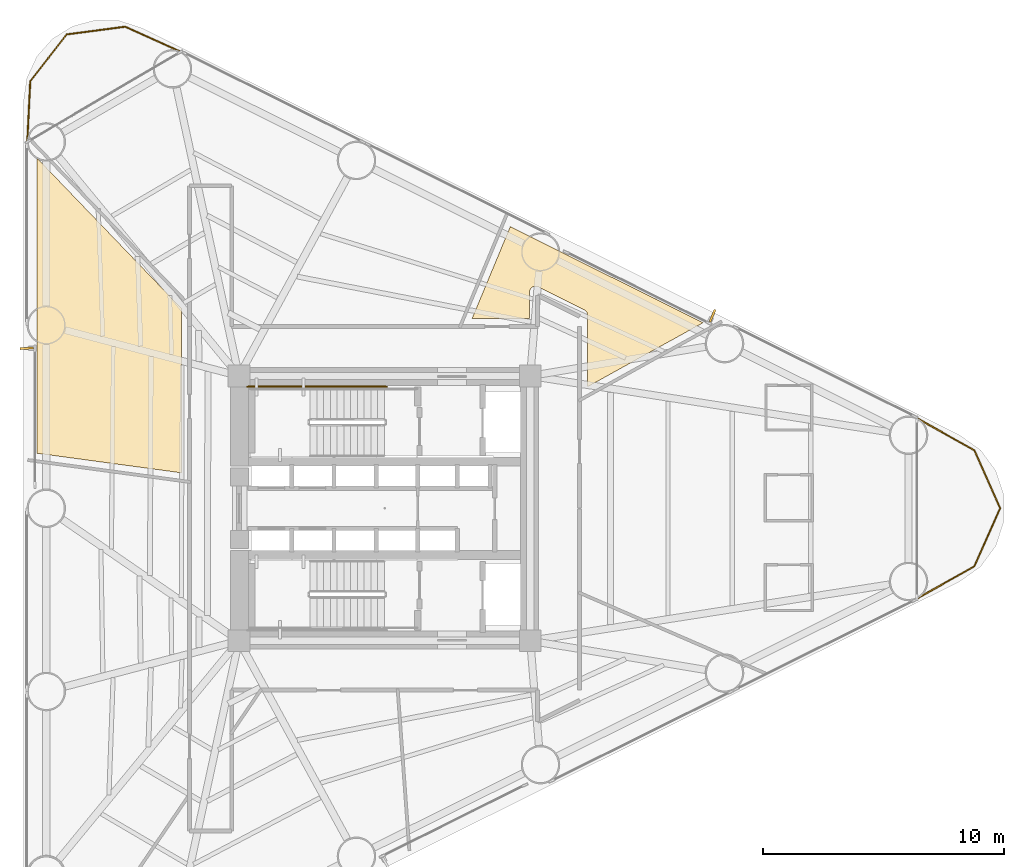
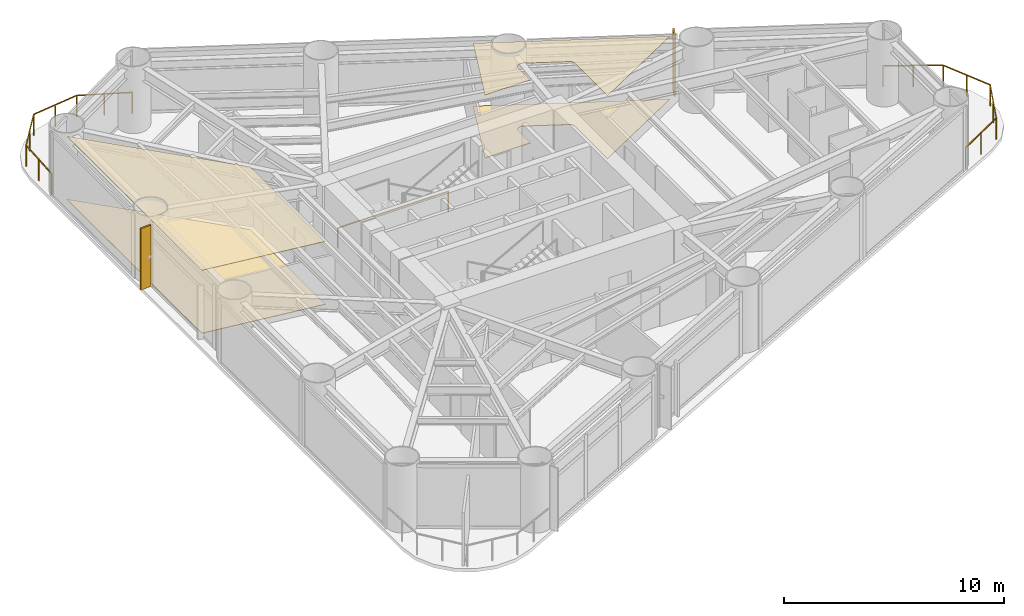
# One storey, part 10 of 10: 4 coverings, 3 railings, 2 shading devices.
"""IFC4 building model written with IfcOpenShell, lengths in metres."""

from ifc_helpers import new_model, si_unit, direction, frame, origin, origin_2d, place, context, subcontext, project, spatial, polyline, rectangle, outline, extrude, source, transform, mapped, material, layer, layer_set, material_profile, profile_set, type_object, element, save


model = new_model("IFC4")

# Units and contexts
model_context = context("Model", 3, precision=1e-05, world=origin(), true_north=direction((0.0, 1.0)))
body_context = subcontext(model_context, "Body", "Model", "MODEL_VIEW")
ifc_project = project(units=[si_unit("LENGTHUNIT", "METRE"), si_unit("AREAUNIT", "SQUARE_METRE"), si_unit("VOLUMEUNIT", "CUBIC_METRE"), si_unit("PLANEANGLEUNIT", "RADIAN"), si_unit("MASSUNIT", "GRAM", prefix="KILO")], contexts=[model_context])

# Site, building, storey
site_placement = place(None, origin())
site = spatial("IfcSite", under=ifc_project, at=site_placement, CompositionType="ELEMENT")
building_placement = place(site_placement, origin())
building = spatial("IfcBuilding", under=site, at=building_placement, Name="Yunling Apex Tower", CompositionType="ELEMENT")
storey_placement = place(building_placement, frame((0.0, 0.0, 31.199951171875)))
storey = spatial("IfcBuildingStorey", under=building, at=storey_placement, Name="L09", CompositionType="ELEMENT", Elevation=31.199951171875)

# Coverings
ifc_material_1 = material(Name="Acoustic mineral fibre ceiling")
ifc_layer_1 = layer(ifc_material_1, 0.02490234375)
ifc_layer_set_1 = layer_set([ifc_layer_1], Name="Acoustic mineral fibre ceiling")
covering_type_1 = type_object("IfcCoveringType", Name="CV-CLG-1", PredefinedType="CEILING", material=ifc_layer_set_1)
covering_1_placement = place(storey_placement, frame((0.0, 0.0, 3.489990234375)))
element("IfcCovering", 1, at=covering_1_placement, inside=storey, type_object=covering_type_1, Name="CV-CL-SP-L09-R05", PredefinedType="CEILING", context=body_context, shape_type="SweptSolid", body=[
    extrude(outline(polyline([(5.22021484375, 11.698486328125), (13.23095703125, 7.71142578125), (8.429931640625, 5.050048828125), (8.429931640625, 8.031982421875), (8.4287109375, 8.050048828125), (8.425537109375, 8.07421875), (8.418701171875, 8.099365234375), (8.410888671875, 8.12158203125), (8.399658203125, 8.14501953125), (8.38525390625, 8.168212890625), (8.37060546875, 8.186767578125), (8.35498046875, 8.2041015625), (8.3330078125, 8.22314453125), (8.31298828125, 8.23681640625), (8.297607421875, 8.24560546875), (6.377197265625, 9.201416015625), (6.3603515625, 9.208984375), (6.335205078125, 9.21728515625), (6.3125, 9.221923828125), (6.291015625, 9.224853515625), (6.265380859375, 9.225830078125), (6.239501953125, 9.22412109375), (6.2138671875, 9.219482421875), (6.1923828125, 9.213134765625), (6.17041015625, 9.205078125), (6.149658203125, 9.194580078125), (6.128173828125, 9.181884765625), (6.106689453125, 9.1650390625), (6.093017578125, 9.152099609375), (6.076416015625, 9.134521484375), (6.060546875, 9.1123046875), (6.048583984375, 9.09228515625), (6.037353515625, 9.06787109375), (6.029541015625, 9.044921875), (6.025146484375, 9.0263671875), (6.020751953125, 9.001708984375), (6.02001953125, 8.979248046875), (6.02001953125, 7.8798828125), (3.6328125, 7.8798828125), (5.22021484375, 11.698486328125)])), origin(), (0.0, 0.0, 1.0), 0.025146484375),
])
covering_2_placement = place(storey_placement, frame((0.0, 0.0, 3.489990234375)))
element("IfcCovering", 2, at=covering_2_placement, inside=storey, type_object=covering_type_1, Name="CV-CL-SP-L09-R07", PredefinedType="CEILING", context=body_context, shape_type="SweptSolid", body=[
    extrude(outline(polyline([(-14.431884765625, 2.2880859375), (-14.431884765625, 14.543212890625), (-8.429931640625, 8.296875), (-8.429931640625, 1.474853515625), (-14.431884765625, 2.2880859375)])), origin(), (0.0, 0.0, 1.0), 0.025146484375),
])
ifc_material_2 = material(Name="Polished granite stone", Category="masonry")
ifc_layer_2 = layer(ifc_material_2, 0.030029296875)
ifc_layer_set_2 = layer_set([ifc_layer_2], Name="Polished granite stone")
covering_type_2 = type_object("IfcCoveringType", Name="CV-FLR-1", PredefinedType="FLOORING", material=ifc_layer_set_2)
covering_3_placement = place(storey_placement, origin())
element("IfcCovering", 3, at=covering_3_placement, inside=storey, type_object=covering_type_2, Name="CV-FL-SP-L09-R05", PredefinedType="FLOORING", context=body_context, shape_type="SweptSolid", body=[
    extrude(outline(polyline([(5.22021484375, 11.698486328125), (13.23095703125, 7.71142578125), (8.429931640625, 5.050048828125), (8.429931640625, 8.031982421875), (8.4287109375, 8.050048828125), (8.425537109375, 8.07421875), (8.418701171875, 8.099365234375), (8.410888671875, 8.12158203125), (8.399658203125, 8.14501953125), (8.38525390625, 8.168212890625), (8.37060546875, 8.186767578125), (8.35498046875, 8.2041015625), (8.3330078125, 8.22314453125), (8.31298828125, 8.23681640625), (8.297607421875, 8.24560546875), (6.377197265625, 9.201416015625), (6.3603515625, 9.208984375), (6.335205078125, 9.21728515625), (6.3125, 9.221923828125), (6.291015625, 9.224853515625), (6.265380859375, 9.225830078125), (6.239501953125, 9.22412109375), (6.2138671875, 9.219482421875), (6.1923828125, 9.213134765625), (6.17041015625, 9.205078125), (6.149658203125, 9.194580078125), (6.128173828125, 9.181884765625), (6.106689453125, 9.1650390625), (6.093017578125, 9.152099609375), (6.076416015625, 9.134521484375), (6.060546875, 9.1123046875), (6.048583984375, 9.09228515625), (6.037353515625, 9.06787109375), (6.029541015625, 9.044921875), (6.025146484375, 9.0263671875), (6.020751953125, 9.001708984375), (6.02001953125, 8.979248046875), (6.02001953125, 7.8798828125), (3.6328125, 7.8798828125), (5.22021484375, 11.698486328125)])), origin(), (0.0, 0.0, 1.0), 0.030029296875),
])
covering_4_placement = place(storey_placement, origin())
element("IfcCovering", 4, at=covering_4_placement, inside=storey, type_object=covering_type_2, Name="CV-FL-SP-L09-R07", PredefinedType="FLOORING", context=body_context, shape_type="SweptSolid", body=[
    extrude(outline(polyline([(-14.431884765625, 2.2880859375), (-14.431884765625, 14.543212890625), (-8.429931640625, 8.296875), (-8.429931640625, 1.474853515625), (-14.431884765625, 2.2880859375)])), origin(), (0.0, 0.0, 1.0), 0.030029296875),
])

# Railings
ifc_material_3 = material(Name="Bronze anodised aluminium", Category="aluminium")
railing_type_1 = type_object("IfcRailingType", Name="RL-BAL-1200", PredefinedType="BALUSTRADE", material=ifc_material_3)
railing_1_placement = place(storey_placement, frame((22.1181640625, 3.74609375, 0.0)))
element("IfcRailing", 5, at=railing_1_placement, inside=storey, type_object=railing_type_1, Name="RL-CRNSILL-L09-1", PredefinedType="BALUSTRADE", context=body_context, shape_type="SweptSolid", body=[
    extrude(rectangle(XDim=0.0439453125, YDim=0.0439453125, at=origin_2d()), origin(), (0.0, 0.0, 1.0), 1.199951171875),
    extrude(rectangle(XDim=0.0439453125, YDim=0.0439453125, at=origin_2d()), frame((2.380615234375, -1.3349609375, 0.0)), (0.0, 0.0, 1.0), 1.199951171875),
    extrude(rectangle(XDim=0.050048828125, YDim=0.050048828125, at=origin_2d()), frame((0.033447265625, -0.018798828125, 1.1748046875), z_axis=(0.872222158118, -0.48910991289, 0.0), x_axis=(0.48910991289, 0.872222158118, 0.0)), (0.0, 0.0, 1.0), 2.652587890625),
    extrude(rectangle(XDim=0.0439453125, YDim=0.0439453125, at=origin_2d()), frame((1.1904296875, -0.66748046875, 0.0)), (0.0, 0.0, 1.0), 1.14599609375),
    extrude(rectangle(XDim=0.0439453125, YDim=0.0439453125, at=origin_2d()), frame((3.45263671875, -3.74609375, 0.0)), (0.0, 0.0, 1.0), 1.199951171875),
    extrude(rectangle(XDim=0.050048828125, YDim=0.050048828125, at=origin_2d()), frame((2.396240234375, -1.369873046875, 1.1748046875), z_axis=(0.406267230745, -0.913754309004, 0.0), x_axis=(0.913754309004, 0.406267230745, 0.0)), (0.0, 0.0, 1.0), 2.56201171875),
    extrude(rectangle(XDim=0.0439453125, YDim=0.0439453125, at=origin_2d()), frame((2.91650390625, -2.54052734375, 0.0)), (0.0, 0.0, 1.0), 1.14599609375),
    extrude(rectangle(XDim=0.0439453125, YDim=0.0439453125, at=origin_2d()), frame((2.380615234375, -6.1572265625, 0.0)), (0.0, 0.0, 1.0), 1.199951171875),
    extrude(rectangle(XDim=0.050048828125, YDim=0.050048828125, at=origin_2d()), frame((3.43701171875, -3.781005859375, 1.1748046875), z_axis=(-0.406267230745, -0.913754309004, 0.0), x_axis=(0.913754309004, -0.406267230745, 0.0)), (0.0, 0.0, 1.0), 2.56201171875),
    extrude(rectangle(XDim=0.0439453125, YDim=0.0439453125, at=origin_2d()), frame((2.91650390625, -4.95166015625, 0.0)), (0.0, 0.0, 1.0), 1.14599609375),
    extrude(rectangle(XDim=0.0439453125, YDim=0.0439453125, at=origin_2d()), frame((0.0, -7.4921875, 0.0)), (0.0, 0.0, 1.0), 1.199951171875),
    extrude(rectangle(XDim=0.050048828125, YDim=0.050048828125, at=origin_2d()), frame((2.34716796875, -6.176025390625, 1.1748046875), z_axis=(-0.872222158118, -0.48910991289, 0.0), x_axis=(0.48910991289, -0.872222158118, 0.0)), (0.0, 0.0, 1.0), 2.652587890625),
    extrude(rectangle(XDim=0.0439453125, YDim=0.0439453125, at=origin_2d()), frame((1.1904296875, -6.82470703125, 0.0)), (0.0, 0.0, 1.0), 1.14599609375),
])
railing_2_placement = place(storey_placement, frame((-14.842041015625, 15.218994140625, 0.0)))
element("IfcRailing", 6, at=railing_2_placement, inside=storey, type_object=railing_type_1, Name="RL-CRNSILL-L09-2", PredefinedType="BALUSTRADE", context=body_context, shape_type="SweptSolid", body=[
    extrude(rectangle(XDim=0.0439453125, YDim=0.0439453125, at=origin_2d()), origin(), (0.0, 0.0, 1.0), 1.199951171875),
    extrude(rectangle(XDim=0.0439453125, YDim=0.0439453125, at=origin_2d()), frame((0.1240234375, 2.52783203125, 0.0)), (0.0, 0.0, 1.0), 1.199951171875),
    extrude(rectangle(XDim=0.050048828125, YDim=0.050048828125, at=origin_2d()), frame((0.001953125, 0.038330078125, 1.1748046875), z_axis=(0.049004218115, 0.998798571588, 0.0), x_axis=(-0.998798571588, 0.049004218115, 0.0)), (0.0, 0.0, 1.0), 2.4541015625),
    extrude(rectangle(XDim=0.0439453125, YDim=0.0439453125, at=origin_2d()), frame((0.06201171875, 1.263916015625, 0.0)), (0.0, 0.0, 1.0), 1.14599609375),
    extrude(rectangle(XDim=0.0439453125, YDim=0.0439453125, at=origin_2d()), frame((1.640625, 4.469482421875, 0.0)), (0.0, 0.0, 1.0), 1.199951171875),
    extrude(rectangle(XDim=0.050048828125, YDim=0.050048828125, at=origin_2d()), frame((0.147705078125, 2.55810546875, 1.1748046875), z_axis=(0.615565197226, 0.788085964832, 0.0), x_axis=(-0.788085964832, 0.615565197226, 0.0)), (0.0, 0.0, 1.0), 2.38720703125),
    extrude(rectangle(XDim=0.0439453125, YDim=0.0439453125, at=origin_2d()), frame((0.88232421875, 3.49853515625, 0.0)), (0.0, 0.0, 1.0), 1.14599609375),
    extrude(rectangle(XDim=0.0439453125, YDim=0.0439453125, at=origin_2d()), frame((4.075439453125, 4.7890625, 0.0)), (0.0, 0.0, 1.0), 1.199951171875),
    extrude(rectangle(XDim=0.050048828125, YDim=0.050048828125, at=origin_2d()), frame((1.6787109375, 4.474365234375, 1.1748046875), z_axis=(0.991495866646, 0.130138182035, 0.0), x_axis=(-0.130138182035, 0.991495866646, 0.0)), (0.0, 0.0, 1.0), 2.379150390625),
    extrude(rectangle(XDim=0.0439453125, YDim=0.0439453125, at=origin_2d()), frame((2.85791015625, 4.62939453125, 0.0)), (0.0, 0.0, 1.0), 1.14599609375),
    extrude(rectangle(XDim=0.0439453125, YDim=0.0439453125, at=origin_2d()), frame((6.382568359375, 3.74609375, 0.0)), (0.0, 0.0, 1.0), 1.199951171875),
    extrude(rectangle(XDim=0.050048828125, YDim=0.050048828125, at=origin_2d()), frame((4.1103515625, 4.773193359375, 1.1748046875), z_axis=(0.911216522497, -0.411927723186, 0.0), x_axis=(0.411927723186, 0.911216522497, 0.0)), (0.0, 0.0, 1.0), 2.455322265625),
    extrude(rectangle(XDim=0.0439453125, YDim=0.0439453125, at=origin_2d()), frame((5.22900390625, 4.267578125, 0.0)), (0.0, 0.0, 1.0), 1.14599609375),
])
ifc_material_4 = material(Name="Steel Q355B", Category="steel")
railing_type_2 = type_object("IfcRailingType", Name="RL-GRD-1150", PredefinedType="GUARDRAIL", material=ifc_material_4)
railing_3_placement = place(storey_placement, frame((0.090087890625, 5.06005859375, 0.0)))
element("IfcRailing", 7, at=railing_3_placement, inside=storey, type_object=railing_type_2, Name="L09 ST-1 stair guard 7", PredefinedType="GUARDRAIL", context=body_context, shape_type="SweptSolid", body=[
    extrude(rectangle(XDim=0.0439453125, YDim=0.0439453125, at=origin_2d()), origin(), (0.0, 0.0, 1.0), 1.14990234375),
    extrude(rectangle(XDim=0.0439453125, YDim=0.0439453125, at=origin_2d()), frame((-5.7900390625, 0.0, 0.0)), (0.0, 0.0, 1.0), 1.14990234375),
    extrude(rectangle(XDim=0.050048828125, YDim=0.050048828125, at=origin_2d()), frame((-0.038330078125, 0.0, 1.125), z_axis=(-1.0, 0.0, 0.0), x_axis=(0.0, -1.0, 0.0)), (0.0, 0.0, 1.0), 5.71337890625),
])

# Shading devices
ifc_material_profile = material_profile(ifc_material_3, rectangle(XDim=0.0849609375, YDim=0.550048828125, at=origin_2d()))
ifc_profile_set = profile_set([ifc_material_profile], Name="Bronze anodised aluminium")
shading_device_type = type_object("IfcShadingDeviceType", Name="FN-BRZ-3", PredefinedType="USERDEFINED", material=ifc_profile_set)
shared_shape = source(origin(), body_context, "Body", "SweptSolid", [
    extrude(rectangle(XDim=0.0849609375, YDim=0.550048828125, at=origin_2d()), origin(), (0.0, 0.0, 1.0), 3.39501953125),
])
for number, where, z_axis, x_axis, name in (
    (8, (13.623291015625, 8.002197265625, 0.06005859375), (0.0, 0.0, 1.0), (-0.922470722095, 0.386067049717, 0.0), "CW-L09-F2-B2-FIN-01"),
    (9, (-14.866943359375, 6.64697265625, 0.06005859375), (0.0, 0.0, 1.0), (0.06540312923, -0.997858923239, 0.0), "CW-L09-F3-B2-FIN-01"),
):
    element("IfcShadingDevice", number, at=place(storey_placement, frame(where, z_axis=z_axis, x_axis=x_axis)), inside=storey, type_object=shading_device_type, Name=name, ObjectType="FIN", PredefinedType="USERDEFINED", context=body_context, shape_type="MappedRepresentation", body=[
        mapped(shared_shape, transform((0.0, 0.0, 0.0), scale=1.0)),
    ])

save(model, "model.ifc")
